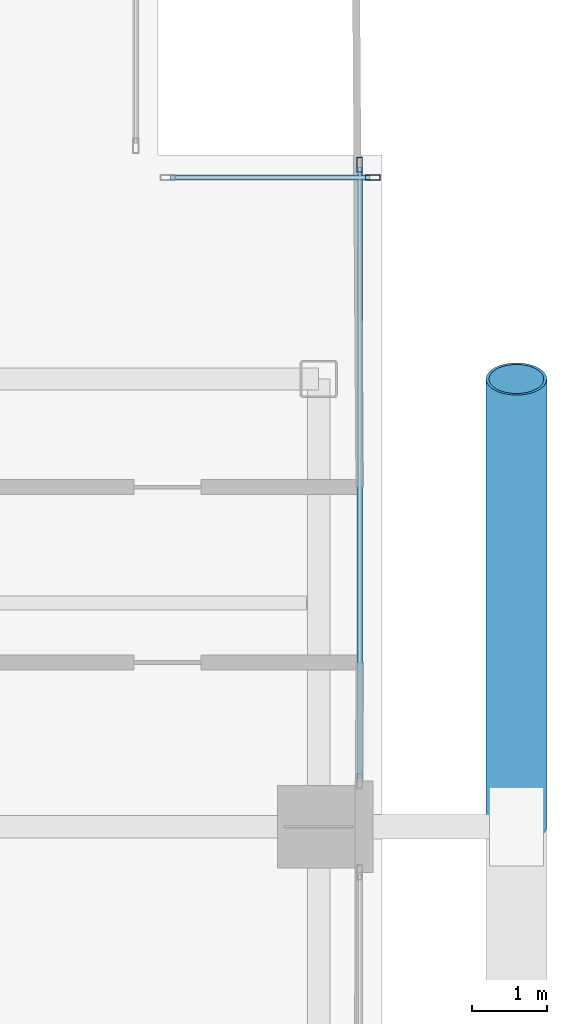
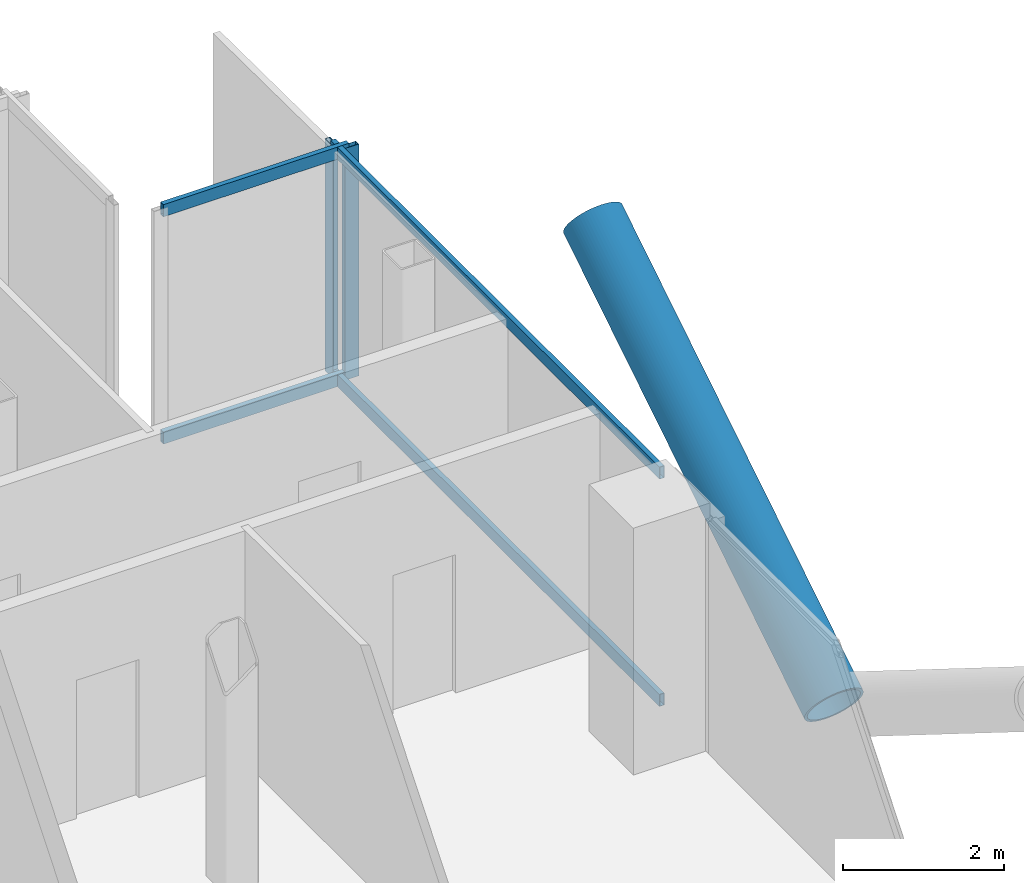
# One storey, part 14 of 28: 7 members, 2 elements without a shape of their own.
"""IFC4 building model written with IfcOpenShell, lengths in metres."""

from ifc_helpers import new_model, si_unit, direction, frame, origin, origin_2d, place, context, subcontext, project, spatial, hollow_rectangle, hollow_circle, extrude, material, layer, layer_set, material_profile, profile_set, type_object, element, aggregate, save


model = new_model("IFC4")

# Units and contexts
model_context = context("Model", 3, precision=1e-05, world=origin(), true_north=direction((0.0, 1.0)))
body_context = subcontext(model_context, "Body", "Model", "MODEL_VIEW")
ifc_project = project(units=[si_unit("LENGTHUNIT", "METRE"), si_unit("AREAUNIT", "SQUARE_METRE"), si_unit("VOLUMEUNIT", "CUBIC_METRE"), si_unit("PLANEANGLEUNIT", "RADIAN"), si_unit("MASSUNIT", "GRAM", prefix="KILO"), si_unit("THERMODYNAMICTEMPERATUREUNIT", "KELVIN"), si_unit("POWERUNIT", "WATT")], contexts=[model_context])

# Site, building, storey
site_placement = place(None, origin())
site = spatial("IfcSite", under=ifc_project, at=site_placement, CompositionType="ELEMENT")
building_placement = place(site_placement, origin())
building = spatial("IfcBuilding", under=site, at=building_placement, Name="Svarakhadi Broadcast Tower", CompositionType="ELEMENT")
storey_placement = place(building_placement, frame((0.0, 0.0, 138.14990234375)))
storey = spatial("IfcBuildingStorey", under=building, at=storey_placement, Name="L33", CompositionType="ELEMENT", Elevation=138.14990234375)

# Curtain wall, member
ifc_material_1 = material(Name="Anodised Bronze Aluminium AA 6063-T6", Category="aluminium")
ifc_layer = layer(ifc_material_1, 0.199951171875)
ifc_layer_set = layer_set([ifc_layer], Name="Anodised Bronze Aluminium AA 6063-T6")
curtain_wall_type = type_object("IfcCurtainWallType", Name="CW_Sys_03", PredefinedType="NOTDEFINED", material=ifc_layer_set)
curtain_wall_1_placement = place(storey_placement, origin())
curtain_wall_1 = element("IfcCurtainWall", 1, at=curtain_wall_1_placement, inside=storey, type_object=curtain_wall_type, Name="L33 Unitised Facade Curtain Wall 12", PredefinedType="NOTDEFINED")
ifc_material_profile_1 = material_profile(ifc_material_1, hollow_rectangle(XDim=0.074951171875, YDim=0.199951171875, WallThickness=0.005615234375, at=origin_2d()), Name="ALU MULLION 200x75x6")
ifc_profile_set_1 = profile_set([ifc_material_profile_1], Name="Anodised Bronze Aluminium AA 6063-T6")
member_type_1 = type_object("IfcMemberType", Name="CW_Sys_03_Mul", PredefinedType="MULLION", material=ifc_profile_set_1)
member_1_placement = place(storey_placement, frame((47.87255859375, 20.699951171875, 0.0), z_axis=(0.0, 0.0, 1.0), x_axis=(0.0, 1.0, 0.0)))
member_1 = element("IfcMember", 2, at=member_1_placement, type_object=member_type_1, Name="CW-03 mullion 2", PredefinedType="MULLION", context=body_context, shape_type="SweptSolid", body=[
    extrude(hollow_rectangle(XDim=0.074951171875, YDim=0.199951171875, WallThickness=0.005615234375, at=origin_2d()), origin(), (0.0, 0.0, 1.0), 3.525146484375),
])

curtain_wall_2_placement = place(storey_placement, origin())
curtain_wall_2 = element("IfcCurtainWall", 3, at=curtain_wall_2_placement, inside=storey, type_object=curtain_wall_type, Name="L33 Unitised Facade Curtain Wall 13 Bay 1", PredefinedType="NOTDEFINED")
member_2_placement = place(storey_placement, frame((47.699951171875, 20.87255859375, 0.0), z_axis=(0.0, 0.0, 1.0), x_axis=(1.0, 0.0, 0.0)))
member_2 = element("IfcMember", 4, at=member_2_placement, type_object=member_type_1, Name="CW-03 mullion 1", PredefinedType="MULLION", context=body_context, shape_type="SweptSolid", body=[
    extrude(hollow_rectangle(XDim=0.074951171875, YDim=0.199951171875, WallThickness=0.005615234375, at=origin_2d()), origin(), (0.0, 0.0, 1.0), 3.525146484375),
])

# Member
ifc_material_profile_2 = material_profile(ifc_material_1, hollow_rectangle(XDim=0.070068359375, YDim=0.18505859375, WallThickness=0.0048828125, at=origin_2d()), Name="ALU TRANSOM 185x70x5")
ifc_profile_set_2 = profile_set([ifc_material_profile_2], Name="Anodised Bronze Aluminium AA 6063-T6")
member_type_2 = type_object("IfcMemberType", Name="CW_Sys_03_Trn", PredefinedType="USERDEFINED", material=ifc_profile_set_2)
member_3_placement = place(storey_placement, frame((45.1650390625, 20.699951171875, 0.03515625), z_axis=(1.0, 0.0, 0.0), x_axis=(0.0, 1.0, 0.0)))
member_3 = element("IfcMember", 5, at=member_3_placement, type_object=member_type_2, Name="CW-03 transom 1.1", ObjectType="TRANSOM", PredefinedType="USERDEFINED", context=body_context, shape_type="SweptSolid", body=[
    extrude(hollow_rectangle(XDim=0.070068359375, YDim=0.18505859375, WallThickness=0.0048828125, at=origin_2d()), origin(), (0.0, 0.0, 1.0), 2.669921875),
])

member_4_placement = place(storey_placement, frame((45.1650390625, 20.699951171875, 3.489990234375), z_axis=(1.0, 0.0, 0.0), x_axis=(0.0, 1.0, 0.0)))
member_4 = element("IfcMember", 6, at=member_4_placement, type_object=member_type_2, Name="CW-03 transom 1.2", ObjectType="TRANSOM", PredefinedType="USERDEFINED", context=body_context, shape_type="SweptSolid", body=[
    extrude(hollow_rectangle(XDim=0.070068359375, YDim=0.18505859375, WallThickness=0.0048828125, at=origin_2d()), origin(), (0.0, 0.0, 1.0), 2.669921875),
])

aggregate(curtain_wall_1, [member_1, member_3, member_4])

member_5_placement = place(storey_placement, frame((47.699951171875, 20.8349609375, 0.03515625), z_axis=(0.0, -1.0, 0.0), x_axis=(1.0, 0.0, 0.0)))
member_5 = element("IfcMember", 7, at=member_5_placement, type_object=member_type_2, Name="CW-03 transom 1.1", ObjectType="TRANSOM", PredefinedType="USERDEFINED", context=body_context, shape_type="SweptSolid", body=[
    extrude(hollow_rectangle(XDim=0.070068359375, YDim=0.18505859375, WallThickness=0.0048828125, at=origin_2d()), origin(), (0.0, 0.0, 1.0), 8.18994140625),
])

member_6_placement = place(storey_placement, frame((47.699951171875, 20.8349609375, 3.489990234375), z_axis=(0.0, -1.0, 0.0), x_axis=(1.0, 0.0, 0.0)))
member_6 = element("IfcMember", 8, at=member_6_placement, type_object=member_type_2, Name="CW-03 transom 1.2", ObjectType="TRANSOM", PredefinedType="USERDEFINED", context=body_context, shape_type="SweptSolid", body=[
    extrude(hollow_rectangle(XDim=0.070068359375, YDim=0.18505859375, WallThickness=0.0048828125, at=origin_2d()), origin(), (0.0, 0.0, 1.0), 8.18994140625),
])

aggregate(curtain_wall_2, [member_2, member_5, member_6])

ifc_material_2 = material(Name="Steel S460ML (IS 2062 E450BR)", Category="steel")
ifc_material_profile_3 = material_profile(ifc_material_2, hollow_circle(Radius=0.406494140625, WallThickness=0.0400390625, at=origin_2d()), Name="CHS 813x40")
ifc_profile_set_3 = profile_set([ifc_material_profile_3], Name="Steel S460ML (IS 2062 E450BR)")
member_type_3 = type_object("IfcMemberType", Name="Exo_Brace_CHS813", PredefinedType="BRACE", material=ifc_profile_set_3)
member_7_placement = place(storey_placement, frame((49.800048828125, 12.0, -0.386962890625), z_axis=(0.0, 0.847998304005, 0.529998940003), x_axis=(-1.0, 0.0, 0.0)))
element("IfcMember", 9, at=member_7_placement, inside=storey, type_object=member_type_3, Name="L33 Exposed Bronze Exoskeleton Diagonal E09", PredefinedType="BRACE", context=body_context, shape_type="SweptSolid", body=[
    extrude(hollow_circle(Radius=0.406494140625, WallThickness=0.0400390625, at=origin_2d()), origin(), (0.0, 0.0, 1.0), 7.075439453125),
])

save(model, "model.ifc")
